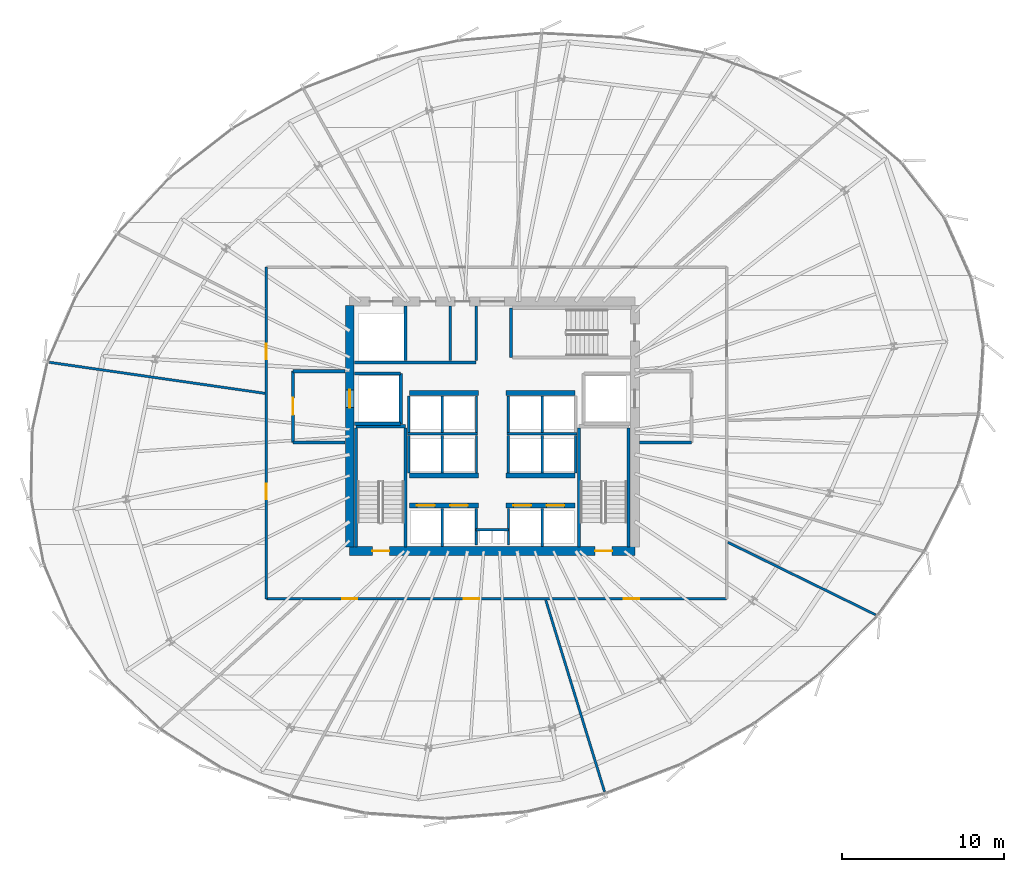
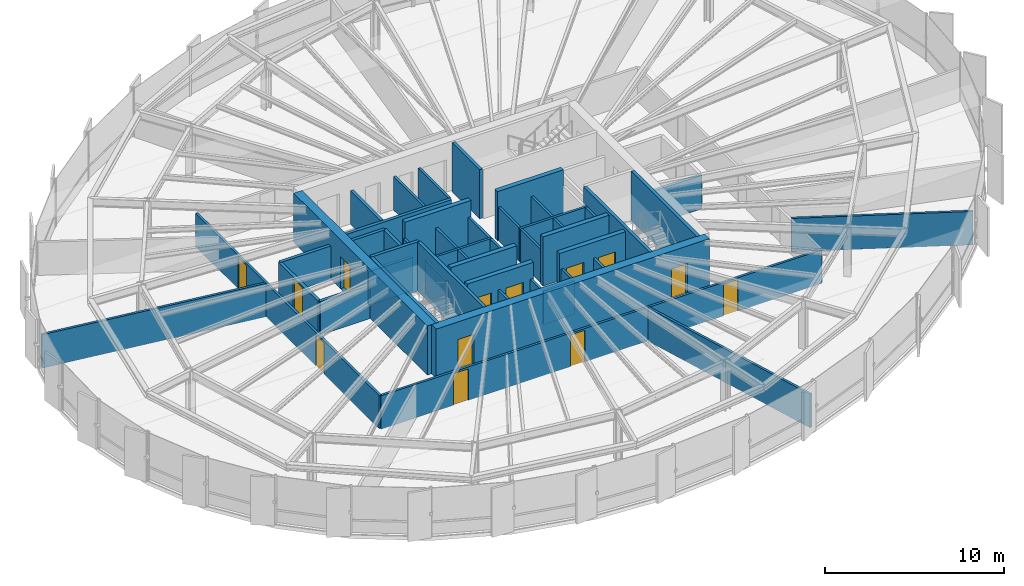
# One storey, part 29 of 35: 48 walls, 13 doors, 13 openings.
"""IFC4 building model written with IfcOpenShell, lengths in metres."""

from ifc_helpers import new_model, si_unit, direction, frame, frame_2d, origin, place, context, subcontext, project, spatial, rectangle, extrude, source, transform, mapped, material, layer, layer_set, type_object, element, fill, save


model = new_model("IFC4")

# Units and contexts
model_context = context("Model", 3, precision=1e-05, world=origin(), true_north=direction((0.0, 1.0)))
body_context = subcontext(model_context, "Body", "Model", "MODEL_VIEW")
ifc_project = project(units=[si_unit("LENGTHUNIT", "METRE"), si_unit("AREAUNIT", "SQUARE_METRE"), si_unit("VOLUMEUNIT", "CUBIC_METRE"), si_unit("PLANEANGLEUNIT", "RADIAN"), si_unit("MASSUNIT", "GRAM", prefix="KILO"), si_unit("THERMODYNAMICTEMPERATUREUNIT", "KELVIN")], contexts=[model_context])

# Site, building, storey
site_placement = place(None, origin())
site = spatial("IfcSite", under=ifc_project, at=site_placement, CompositionType="ELEMENT")
building_placement = place(site_placement, origin())
building = spatial("IfcBuilding", under=site, at=building_placement, Name="Kethvar Cultural Tower", CompositionType="ELEMENT")
storey_placement = place(building_placement, frame((0.0, 0.0, 103.60009765625)))
storey = spatial("IfcBuildingStorey", under=building, at=storey_placement, Name="L25", CompositionType="ELEMENT", Elevation=103.60009765625)

# Wall, openings, doors
ifc_material_1 = material(Name="Concrete C60/75", Category="concrete")
ifc_layer_1 = layer(ifc_material_1, 0.550048828125, Name="Concrete C60/75", Category="concrete")
ifc_layer_set_1 = layer_set([ifc_layer_1], Name="Concrete C60/75 (550 mm)")
wall_type_1 = type_object("IfcWallType", Name="WL-CORE-550", PredefinedType="SHEAR", material=ifc_layer_set_1)
wall_1_placement = place(storey_placement, frame((38.0, 20.10009765625, 0.0), z_axis=(0.0, 0.0, 1.0), x_axis=(1.0, 0.0, 0.0)))
wall_1 = element("IfcWall", 1, at=wall_1_placement, inside=storey, type_object=wall_type_1, Name="L25 Core Shear Wall S", PredefinedType="SHEAR", context=body_context, shape_type="SweptSolid", body=[
    extrude(rectangle(XDim=17.60009765625, YDim=0.550048828125, at=frame_2d((8.800048828125, 0.0))), origin(), (0.0, 0.0, 1.0), 3.349853515625),
])
opening_1_placement = place(wall_1_placement, frame((1.39990234375, 0.0, 0.0)))
opening_1 = element("IfcOpeningElement", 2, at=opening_1_placement, cuts=wall_1, Name="Opening D-L25-S1", PredefinedType="OPENING", context=body_context, shape_type="SweptSolid", body=[
    extrude(rectangle(XDim=1.050048828125, YDim=2.14990234375, at=frame_2d((0.52490234375, 1.074951171875))), frame((0.0, 0.284912109375, 0.0), z_axis=(0.0, -1.0, 0.0), x_axis=(1.0, 0.0, 0.0)), (0.0, 0.0, 1.0), 0.570068359375),
])
opening_2_placement = place(wall_1_placement, frame((15.14990234375, 0.0, 0.0)))
opening_2 = element("IfcOpeningElement", 3, at=opening_2_placement, cuts=wall_1, Name="Opening D-L25-ST2", PredefinedType="OPENING", context=body_context, shape_type="SweptSolid", body=[
    extrude(rectangle(XDim=1.050048828125, YDim=2.14990234375, at=frame_2d((0.52490234375, 1.074951171875))), frame((0.0, 0.284912109375, 0.0), z_axis=(0.0, -1.0, 0.0), x_axis=(1.0, 0.0, 0.0)), (0.0, 0.0, 1.0), 0.570068359375),
])
ifc_material_2 = material(Name="Steel S355J2", Category="steel")
door_type_1 = type_object("IfcDoorType", Name="DR-FD60-1050", OperationType="NOTDEFINED", PredefinedType="DOOR", material=ifc_material_2)
shared_shape_1 = source(origin(), body_context, "Body", "SweptSolid", [
    extrude(rectangle(XDim=1.050048828125, YDim=2.14990234375, at=frame_2d((0.52490234375, 1.074951171875))), frame((0.0, 0.02490234375, 0.0), z_axis=(0.0, -1.0, 0.0), x_axis=(1.0, 0.0, 0.0)), (0.0, 0.0, 1.0), 0.050048828125),
])
door_1_placement = place(opening_1_placement, origin())
door_1 = element("IfcDoor", 4, at=door_1_placement, inside=storey, type_object=door_type_1, Name="L25 Exit Stair 1 Door", OperationType="SINGLE_SWING_LEFT", OverallHeight=2.14990234375, OverallWidth=1.050048828125, PredefinedType="DOOR", context=body_context, shape_type="MappedRepresentation", body=[
    mapped(shared_shape_1, transform((0.0, 0.0, 0.0), scale=1.0)),
])
fill(opening_1, door_1)
door_2_placement = place(opening_2_placement, origin())
door_2 = element("IfcDoor", 5, at=door_2_placement, inside=storey, type_object=door_type_1, Name="L25 Exit Stair 2 Door", OperationType="SINGLE_SWING_RIGHT", OverallHeight=2.14990234375, OverallWidth=1.050048828125, PredefinedType="DOOR", context=body_context, shape_type="MappedRepresentation", body=[
    mapped(shared_shape_1, transform((0.0, 0.0, 0.0), scale=1.0)),
])
fill(opening_2, door_2)

# Wall, opening, door
wall_2_placement = place(storey_placement, frame((38.0, 35.260009765625, 0.0), z_axis=(0.0, 0.0, 1.0), x_axis=(0.0, -1.0, 0.0)))
wall_2 = element("IfcWall", 6, at=wall_2_placement, inside=storey, type_object=wall_type_1, Name="L25 Core Shear Wall W", PredefinedType="SHEAR", context=body_context, shape_type="SweptSolid", body=[
    extrude(rectangle(XDim=14.919921875, YDim=0.550048828125, at=frame_2d((7.4599609375, 0.0))), origin(), (0.0, 0.0, 1.0), 3.349853515625),
])
opening_3_placement = place(wall_2_placement, frame((5.2099609375, 0.0, 0.0)))
opening_3 = element("IfcOpeningElement", 7, at=opening_3_placement, cuts=wall_2, Name="Opening LD-1", PredefinedType="OPENING", context=body_context, shape_type="SweptSolid", body=[
    extrude(rectangle(XDim=1.10009765625, YDim=2.199951171875, at=frame_2d((0.550048828125, 1.10009765625))), frame((0.0, 0.284912109375, 0.0), z_axis=(0.0, -1.0, 0.0), x_axis=(1.0, 0.0, 0.0)), (0.0, 0.0, 1.0), 0.570068359375),
])
door_type_2 = type_object("IfcDoorType", Name="DR-LIFT-SLIDE-1100", OperationType="NOTDEFINED", PredefinedType="DOOR", material=ifc_material_2)
shared_shape_2 = source(origin(), body_context, "Body", "SweptSolid", [
    extrude(rectangle(XDim=1.10009765625, YDim=2.199951171875, at=frame_2d((0.550048828125, 1.10009765625))), frame((0.0, 0.02490234375, 0.0), z_axis=(0.0, -1.0, 0.0), x_axis=(1.0, 0.0, 0.0)), (0.0, 0.0, 1.0), 0.050048828125),
])
door_3_placement = place(opening_3_placement, origin())
door_3 = element("IfcDoor", 8, at=door_3_placement, inside=storey, type_object=door_type_2, Name="L25 Firefighting Lift Landing Door FFL-01", OperationType="SLIDING_TO_LEFT", OverallHeight=2.199951171875, OverallWidth=1.10009765625, PredefinedType="DOOR", context=body_context, shape_type="MappedRepresentation", body=[
    mapped(shared_shape_2, transform((0.0, 0.0, 0.0), scale=1.0)),
])
fill(opening_3, door_3)

# Walls
ifc_material_3 = material(Name="Gypsum Fireboard Partition")
ifc_layer_2 = layer(ifc_material_3, 0.14990234375, Name="Gypsum Fireboard Partition")
ifc_layer_set_2 = layer_set([ifc_layer_2], Name="Gypsum Fireboard Partition (150 mm)")
wall_type_2 = type_object("IfcWallType", Name="WL-FIRE-150", PredefinedType="PARTITIONING", material=ifc_layer_set_2)
wall_3_placement = place(storey_placement, frame((45.800048828125, 21.419921875, 0.0), z_axis=(0.0, 0.0, 1.0), x_axis=(1.0, 0.0, 0.0)))
element("IfcWall", 9, at=wall_3_placement, inside=storey, type_object=wall_type_2, Name="L25 Core Riser Wall", PredefinedType="PARTITIONING", context=body_context, shape_type="SweptSolid", body=[
    extrude(rectangle(XDim=2.0, YDim=0.14990234375, at=frame_2d((1.0, 0.0))), origin(), (0.0, 0.0, 1.0), 2.27978515625),
])
for number, where, z_axis, x_axis, name in (
    (10, (45.800048828125, 20.47998046875, 0.0), (0.0, 0.0, 1.0), (0.0, 1.0, 0.0), "L25 Core Riser West Wall"),
    (11, (47.800048828125, 20.47998046875, 0.0), (0.0, 0.0, 1.0), (0.0, 1.0, 0.0), "L25 Core Riser East Wall"),
):
    element("IfcWall", number, at=place(storey_placement, frame(where, z_axis=z_axis, x_axis=x_axis)), inside=storey, type_object=wall_type_2, Name=name, PredefinedType="PARTITIONING", context=body_context, shape_type="SweptSolid", body=[
        extrude(rectangle(XDim=2.239990234375, YDim=0.14990234375, at=frame_2d((1.1201171875, 0.0))), origin(), (0.0, 0.0, 1.0), 2.27978515625),
    ])
for number, where, z_axis, x_axis, name in (
    (12, (43.72509765625, 20.385009765625, 0.0), (0.0, 0.0, 1.0), (0.0, 1.0, 0.0), "L25 Low-Rise Lift Shaft Divider W"),
    (13, (49.875, 20.385009765625, 0.0), (0.0, 0.0, 1.0), (0.0, 1.0, 0.0), "L25 Low-Rise Lift Shaft Divider E"),
):
    element("IfcWall", number, at=place(storey_placement, frame(where, z_axis=z_axis, x_axis=x_axis)), inside=storey, type_object=wall_type_2, Name=name, PredefinedType="PARTITIONING", context=body_context, shape_type="SweptSolid", body=[
        extrude(rectangle(XDim=2.344970703125, YDim=0.14990234375, at=frame_2d((1.17236328125, 0.0))), origin(), (0.0, 0.0, 1.0), 2.27978515625),
    ])
wall_4_placement = place(storey_placement, frame((41.580078125, 27.324951171875, 0.0), z_axis=(0.0, 0.0, 1.0), x_axis=(1.0, 0.0, 0.0)))
element("IfcWall", 14, at=wall_4_placement, inside=storey, type_object=wall_type_2, Name="L25 Mid-High Lift Shaft Back Wall W", PredefinedType="PARTITIONING", context=body_context, shape_type="SweptSolid", body=[
    extrude(rectangle(XDim=4.31982421875, YDim=0.14990234375, at=frame_2d((2.159912109375, 0.0))), origin(), (0.0, 0.0, 1.0), 2.27978515625),
])
wall_5_placement = place(storey_placement, frame((47.699951171875, 27.324951171875, 0.0), z_axis=(0.0, 0.0, 1.0), x_axis=(1.0, 0.0, 0.0)))
element("IfcWall", 15, at=wall_5_placement, inside=storey, type_object=wall_type_2, Name="L25 Mid-High Lift Shaft Back Wall E", PredefinedType="PARTITIONING", context=body_context, shape_type="SweptSolid", body=[
    extrude(rectangle(XDim=4.320068359375, YDim=0.14990234375, at=frame_2d((2.16015625, 0.0))), origin(), (0.0, 0.0, 1.0), 2.27978515625),
])
for number, where, z_axis, x_axis, name in (
    (16, (41.64990234375, 24.919921875, 0.0), (0.0, 0.0, 1.0), (0.0, 1.0, 0.0), "L25 Mid-Rise Lift Shaft Outer Wall W"),
    (17, (43.72509765625, 24.919921875, 0.0), (0.0, 0.0, 1.0), (0.0, 1.0, 0.0), "L25 Mid-Rise Lift Shaft Divider W"),
    (18, (45.824951171875, 24.919921875, 0.0), (0.0, 0.0, 1.0), (0.0, 1.0, 0.0), "L25 Mid-Rise Lift Shaft Concourse Wall W"),
    (19, (47.77490234375, 24.919921875, 0.0), (0.0, 0.0, 1.0), (0.0, 1.0, 0.0), "L25 Mid-Rise Lift Shaft Concourse Wall E"),
    (20, (49.875, 24.919921875, 0.0), (0.0, 0.0, 1.0), (0.0, 1.0, 0.0), "L25 Mid-Rise Lift Shaft Divider E"),
    (21, (51.949951171875, 24.919921875, 0.0), (0.0, 0.0, 1.0), (0.0, 1.0, 0.0), "L25 Mid-Rise Lift Shaft Outer Wall E"),
):
    element("IfcWall", number, at=place(storey_placement, frame(where, z_axis=z_axis, x_axis=x_axis)), inside=storey, type_object=wall_type_2, Name=name, PredefinedType="PARTITIONING", context=body_context, shape_type="SweptSolid", body=[
        extrude(rectangle(XDim=2.320068359375, YDim=0.14990234375, at=frame_2d((1.16015625, 0.0))), origin(), (0.0, 0.0, 1.0), 2.27978515625),
    ])
for number, where, z_axis, x_axis, name in (
    (22, (41.64990234375, 27.409912109375, 0.0), (0.0, 0.0, 1.0), (0.0, 1.0, 0.0), "L25 High-Rise Lift Shaft Outer Wall W"),
    (23, (43.72509765625, 27.409912109375, 0.0), (0.0, 0.0, 1.0), (0.0, 1.0, 0.0), "L25 High-Rise Lift Shaft Divider W"),
    (24, (45.824951171875, 27.409912109375, 0.0), (0.0, 0.0, 1.0), (0.0, 1.0, 0.0), "L25 High-Rise Lift Shaft Concourse Wall W"),
    (25, (47.77490234375, 27.409912109375, 0.0), (0.0, 0.0, 1.0), (0.0, 1.0, 0.0), "L25 High-Rise Lift Shaft Concourse Wall E"),
    (26, (49.875, 27.409912109375, 0.0), (0.0, 0.0, 1.0), (0.0, 1.0, 0.0), "L25 High-Rise Lift Shaft Divider E"),
):
    element("IfcWall", number, at=place(storey_placement, frame(where, z_axis=z_axis, x_axis=x_axis)), inside=storey, type_object=wall_type_2, Name=name, PredefinedType="PARTITIONING", context=body_context, shape_type="SweptSolid", body=[
        extrude(rectangle(XDim=2.27001953125, YDim=0.14990234375, at=frame_2d((1.135009765625, 0.0))), origin(), (0.0, 0.0, 1.0), 2.27978515625),
    ])
wall_6_placement = place(storey_placement, frame((45.800048828125, 31.85009765625, 0.0), z_axis=(0.0, 0.0, 1.0), x_axis=(0.0, 1.0, 0.0)))
element("IfcWall", 27, at=wall_6_placement, inside=storey, type_object=wall_type_2, Name="L25 Sanitary Spine Wall", PredefinedType="PARTITIONING", context=body_context, shape_type="SweptSolid", body=[
    extrude(rectangle(XDim=3.364990234375, YDim=0.14990234375, at=frame_2d((1.6826171875, 0.0))), origin(), (0.0, 0.0, 1.0), 2.27978515625),
])

# Wall, openings, doors
wall_7_placement = place(storey_placement, frame((32.85009765625, 17.139892578125, 0.0), z_axis=(0.0, 0.0, 1.0), x_axis=(1.0, 0.0, 0.0)))
wall_7 = element("IfcWall", 28, at=wall_7_placement, inside=storey, type_object=wall_type_2, Name="L25 Corridor Rated Wall S", PredefinedType="PARTITIONING", context=body_context, shape_type="SweptSolid", body=[
    extrude(rectangle(XDim=28.419921875, YDim=0.14990234375, at=frame_2d((14.2099609375, 0.0))), origin(), (0.0, 0.0, 1.0), 2.27978515625),
])
opening_4_placement = place(wall_7_placement, frame((4.674072265625, 0.0, 0.0)))
opening_4 = element("IfcOpeningElement", 29, at=opening_4_placement, cuts=wall_7, Name="Opening D-L25-01", PredefinedType="OPENING", context=body_context, shape_type="SweptSolid", body=[
    extrude(rectangle(XDim=0.949951171875, YDim=2.14990234375, at=frame_2d((0.47509765625, 1.074951171875))), frame((0.0, 0.0849609375, 0.0), z_axis=(0.0, -1.0, 0.0), x_axis=(1.0, 0.0, 0.0)), (0.0, 0.0, 1.0), 0.169921875),
])
opening_5_placement = place(wall_7_placement, frame((12.19970703125, 0.0, 0.0)))
opening_5 = element("IfcOpeningElement", 30, at=opening_5_placement, cuts=wall_7, Name="Opening D-L25-02", PredefinedType="OPENING", context=body_context, shape_type="SweptSolid", body=[
    extrude(rectangle(XDim=0.949951171875, YDim=2.14990234375, at=frame_2d((0.47509765625, 1.074951171875))), frame((0.0, 0.0849609375, 0.0), z_axis=(0.0, -1.0, 0.0), x_axis=(1.0, 0.0, 0.0)), (0.0, 0.0, 1.0), 0.169921875),
])
opening_6_placement = place(wall_7_placement, frame((22.059814453125, 0.0, 0.0)))
opening_6 = element("IfcOpeningElement", 31, at=opening_6_placement, cuts=wall_7, Name="Opening D-L25-03", PredefinedType="OPENING", context=body_context, shape_type="SweptSolid", body=[
    extrude(rectangle(XDim=0.949951171875, YDim=2.14990234375, at=frame_2d((0.47509765625, 1.074951171875))), frame((0.0, 0.0849609375, 0.0), z_axis=(0.0, -1.0, 0.0), x_axis=(1.0, 0.0, 0.0)), (0.0, 0.0, 1.0), 0.169921875),
])
ifc_material_4 = material(Name="Architectural Oak Timber", Category="wood")
door_type_3 = type_object("IfcDoorType", Name="DR-FD30-950", OperationType="NOTDEFINED", PredefinedType="DOOR", material=ifc_material_4)
shared_shape_3 = source(origin(), body_context, "Body", "SweptSolid", [
    extrude(rectangle(XDim=0.949951171875, YDim=2.14990234375, at=frame_2d((0.47509765625, 1.074951171875))), frame((0.0, 0.02490234375, 0.0), z_axis=(0.0, -1.0, 0.0), x_axis=(1.0, 0.0, 0.0)), (0.0, 0.0, 1.0), 0.050048828125),
])
door_4_placement = place(opening_4_placement, origin())
door_4 = element("IfcDoor", 32, at=door_4_placement, inside=storey, type_object=door_type_3, Name="L25 Fellows' Study Workspace 01 Door", OperationType="SINGLE_SWING_RIGHT", OverallHeight=2.14990234375, OverallWidth=0.949951171875, PredefinedType="DOOR", context=body_context, shape_type="MappedRepresentation", body=[
    mapped(shared_shape_3, transform((0.0, 0.0, 0.0), scale=1.0)),
])
fill(opening_4, door_4)
door_5_placement = place(opening_5_placement, origin())
door_5 = element("IfcDoor", 33, at=door_5_placement, inside=storey, type_object=door_type_3, Name="L25 Cataloguing Administration Office 02 Door", OperationType="SINGLE_SWING_LEFT", OverallHeight=2.14990234375, OverallWidth=0.949951171875, PredefinedType="DOOR", context=body_context, shape_type="MappedRepresentation", body=[
    mapped(shared_shape_3, transform((0.0, 0.0, 0.0), scale=1.0)),
])
fill(opening_5, door_5)
door_6_placement = place(opening_6_placement, origin())
door_6 = element("IfcDoor", 34, at=door_6_placement, inside=storey, type_object=door_type_3, Name="L25 Conservation Design Workspace 03 Door", OperationType="SINGLE_SWING_RIGHT", OverallHeight=2.14990234375, OverallWidth=0.949951171875, PredefinedType="DOOR", context=body_context, shape_type="MappedRepresentation", body=[
    mapped(shared_shape_3, transform((0.0, 0.0, 0.0), scale=1.0)),
])
fill(opening_6, door_6)

wall_8_placement = place(storey_placement, frame((32.85009765625, 37.6201171875, 0.0), z_axis=(0.0, 0.0, 1.0), x_axis=(0.0, -1.0, 0.0)))
wall_8 = element("IfcWall", 35, at=wall_8_placement, inside=storey, type_object=wall_type_2, Name="L25 Corridor Rated Wall W", PredefinedType="PARTITIONING", context=body_context, shape_type="SweptSolid", body=[
    extrude(rectangle(XDim=20.480224609375, YDim=0.14990234375, at=frame_2d((10.240234375, 0.0))), origin(), (0.0, 0.0, 1.0), 2.27978515625),
])
opening_7_placement = place(wall_8_placement, frame((4.72900390625, 0.0, 0.0)))
opening_7 = element("IfcOpeningElement", 36, at=opening_7_placement, cuts=wall_8, Name="Opening D-L25-11", PredefinedType="OPENING", context=body_context, shape_type="SweptSolid", body=[
    extrude(rectangle(XDim=0.949951171875, YDim=2.14990234375, at=frame_2d((0.47509765625, 1.074951171875))), frame((0.0, 0.0849609375, 0.0), z_axis=(0.0, -1.0, 0.0), x_axis=(1.0, 0.0, 0.0)), (0.0, 0.0, 1.0), 0.169921875),
])
opening_8_placement = place(wall_8_placement, frame((13.375, 0.0, 0.0)))
opening_8 = element("IfcOpeningElement", 37, at=opening_8_placement, cuts=wall_8, Name="Opening D-L25-12", PredefinedType="OPENING", context=body_context, shape_type="SweptSolid", body=[
    extrude(rectangle(XDim=0.949951171875, YDim=2.14990234375, at=frame_2d((0.47509765625, 1.074951171875))), frame((0.0, 0.0849609375, 0.0), z_axis=(0.0, -1.0, 0.0), x_axis=(1.0, 0.0, 0.0)), (0.0, 0.0, 1.0), 0.169921875),
])
door_7_placement = place(opening_7_placement, origin())
door_7 = element("IfcDoor", 38, at=door_7_placement, inside=storey, type_object=door_type_3, Name="L25 Prints Reading Library 11 Door", OperationType="SINGLE_SWING_RIGHT", OverallHeight=2.14990234375, OverallWidth=0.949951171875, PredefinedType="DOOR", context=body_context, shape_type="MappedRepresentation", body=[
    mapped(shared_shape_3, transform((0.0, 0.0, 0.0), scale=1.0)),
])
fill(opening_7, door_7)
door_8_placement = place(opening_8_placement, origin())
door_8 = element("IfcDoor", 39, at=door_8_placement, inside=storey, type_object=door_type_3, Name="L25 Operations Control Room 12 Door", OperationType="SINGLE_SWING_LEFT", OverallHeight=2.14990234375, OverallWidth=0.949951171875, PredefinedType="DOOR", context=body_context, shape_type="MappedRepresentation", body=[
    mapped(shared_shape_3, transform((0.0, 0.0, 0.0), scale=1.0)),
])
fill(opening_8, door_8)

# Walls
ifc_material_5 = material(Name="Concrete C40/50", Category="concrete")
ifc_layer_3 = layer(ifc_material_5, 0.199951171875, Name="Concrete C40/50", Category="concrete")
ifc_layer_set_3 = layer_set([ifc_layer_3], Name="Concrete C40/50 (200 mm)")
wall_type_3 = type_object("IfcWallType", Name="WL-FIRE-200", PredefinedType="PARTITIONING", material=ifc_layer_set_3)
wall_9_placement = place(storey_placement, frame((41.14990234375, 27.949951171875, 0.0), z_axis=(0.0, 0.0, 1.0), x_axis=(0.0, 1.0, 0.0)))
element("IfcWall", 40, at=wall_9_placement, inside=storey, type_object=wall_type_3, Name="L25 FFL-01 Shaft Inner Wall", PredefinedType="PARTITIONING", context=body_context, shape_type="SweptSolid", body=[
    extrude(rectangle(XDim=3.10009765625, YDim=0.199951171875, at=frame_2d((1.550048828125, 0.0))), origin(), (0.0, 0.0, 1.0), 2.27978515625),
])
for number, where, z_axis, x_axis, name in (
    (41, (38.284912109375, 27.949951171875, 0.0), (0.0, 0.0, 1.0), (1.0, 0.0, 0.0), "L25 FFL-01 Shaft South Wall"),
    (42, (38.284912109375, 31.050048828125, 0.0), (0.0, 0.0, 1.0), (1.0, 0.0, 0.0), "L25 FFL-01 Shaft North Wall"),
):
    element("IfcWall", number, at=place(storey_placement, frame(where, z_axis=z_axis, x_axis=x_axis)), inside=storey, type_object=wall_type_3, Name=name, PredefinedType="PARTITIONING", context=body_context, shape_type="SweptSolid", body=[
        extrude(rectangle(XDim=2.864990234375, YDim=0.199951171875, at=frame_2d((1.4326171875, 0.0))), origin(), (0.0, 0.0, 1.0), 2.27978515625),
    ])

# Wall, opening, door
wall_10_placement = place(storey_placement, frame((34.5, 31.199951171875, 0.0), z_axis=(0.0, 0.0, 1.0), x_axis=(0.0, -1.0, 0.0)))
wall_10 = element("IfcWall", 43, at=wall_10_placement, inside=storey, type_object=wall_type_3, Name="L25 Firefighting Lobby 1 Wall", PredefinedType="PARTITIONING", context=body_context, shape_type="SweptSolid", body=[
    extrude(rectangle(XDim=4.39990234375, YDim=0.199951171875, at=frame_2d((2.199951171875, 0.0))), origin(), (0.0, 0.0, 1.0), 2.27978515625),
])
opening_9_placement = place(wall_10_placement, frame((1.64990234375, 0.0, 0.0)))
opening_9 = element("IfcOpeningElement", 44, at=opening_9_placement, cuts=wall_10, Name="Opening D-L25-F1", PredefinedType="OPENING", context=body_context, shape_type="SweptSolid", body=[
    extrude(rectangle(XDim=1.050048828125, YDim=2.14990234375, at=frame_2d((0.52490234375, 1.074951171875))), frame((0.0, 0.10986328125, 0.0), z_axis=(0.0, -1.0, 0.0), x_axis=(1.0, 0.0, 0.0)), (0.0, 0.0, 1.0), 0.219970703125),
])
door_9_placement = place(opening_9_placement, origin())
door_9 = element("IfcDoor", 45, at=door_9_placement, inside=storey, type_object=door_type_1, Name="L25 Firefighting Lobby 1 Fire Door", OperationType="SINGLE_SWING_LEFT", OverallHeight=2.14990234375, OverallWidth=1.050048828125, PredefinedType="DOOR", context=body_context, shape_type="MappedRepresentation", body=[
    mapped(shared_shape_1, transform((0.0, 0.0, 0.0), scale=1.0)),
])
fill(opening_9, door_9)

# Walls
for number, where, z_axis, x_axis, name in (
    (46, (34.5, 26.800048828125, 0.0), (0.0, 0.0, 1.0), (1.0, 0.0, 0.0), "L25 FF Lobby 1 South Wall"),
    (47, (34.5, 31.199951171875, 0.0), (0.0, 0.0, 1.0), (1.0, 0.0, 0.0), "L25 FF Lobby 1 North Wall"),
    (48, (55.885009765625, 26.800048828125, 0.0), (0.0, 0.0, 1.0), (1.0, 0.0, 0.0), "L25 FF Lobby 2 South Wall"),
):
    element("IfcWall", number, at=place(storey_placement, frame(where, z_axis=z_axis, x_axis=x_axis)), inside=storey, type_object=wall_type_3, Name=name, PredefinedType="PARTITIONING", context=body_context, shape_type="SweptSolid", body=[
        extrude(rectangle(XDim=3.215087890625, YDim=0.199951171875, at=frame_2d((1.607421875, 0.0))), origin(), (0.0, 0.0, 1.0), 2.27978515625),
    ])
wall_11_placement = place(storey_placement, frame((41.449951171875, 31.85009765625, 0.0), z_axis=(0.0, 0.0, 1.0), x_axis=(0.0, 1.0, 0.0)))
element("IfcWall", 49, at=wall_11_placement, inside=storey, type_object=wall_type_3, Name="L25 NW Core Pocket Wall", PredefinedType="PARTITIONING", context=body_context, shape_type="SweptSolid", body=[
    extrude(rectangle(XDim=3.364990234375, YDim=0.199951171875, at=frame_2d((1.6826171875, 0.0))), origin(), (0.0, 0.0, 1.0), 2.27978515625),
])
wall_12_placement = place(storey_placement, frame((38.284912109375, 31.72998046875, 0.0), z_axis=(0.0, 0.0, 1.0), x_axis=(1.0, 0.0, 0.0)))
element("IfcWall", 50, at=wall_12_placement, inside=storey, type_object=wall_type_3, Name="L25 North Core Sanitary South Wall", PredefinedType="PARTITIONING", context=body_context, shape_type="SweptSolid", body=[
    extrude(rectangle(XDim=7.51513671875, YDim=0.199951171875, at=frame_2d((3.757568359375, 0.0))), origin(), (0.0, 0.0, 1.0), 2.27978515625),
])
ifc_material_6 = material(Name="Gypsum Acoustic Partition")
ifc_layer_4 = layer(ifc_material_6, 0.14990234375, Name="Gypsum Acoustic Partition")
ifc_layer_set_4 = layer_set([ifc_layer_4], Name="Gypsum Acoustic Partition (150 mm)")
wall_type_4 = type_object("IfcWallType", Name="WL-PART-150", PredefinedType="PARTITIONING", material=ifc_layer_set_4)
wall_13_placement = place(storey_placement, frame((50.102783203125, 17.0634765625, 0.0), z_axis=(0.0, 0.0, 1.0), x_axis=(0.293429940937, -0.955980580222, 0.0)))
element("IfcWall", 51, at=wall_13_placement, inside=storey, type_object=wall_type_4, Name="L25 Radial Partition Wall 03", PredefinedType="PARTITIONING", context=body_context, shape_type="SweptSolid", body=[
    extrude(rectangle(XDim=12.373046875, YDim=0.14990234375, at=frame_2d((6.1865234375, 0.0))), origin(), (0.0, 0.0, 1.0), 2.27978515625),
])
wall_14_placement = place(storey_placement, frame((61.341796875, 20.633544921875, 0.0), z_axis=(0.0, 0.0, 1.0), x_axis=(0.897844588606, -0.440312496656, 0.0)))
element("IfcWall", 52, at=wall_14_placement, inside=storey, type_object=wall_type_4, Name="L25 Radial Partition Wall 04", PredefinedType="PARTITIONING", context=body_context, shape_type="SweptSolid", body=[
    extrude(rectangle(XDim=10.165771484375, YDim=0.14990234375, at=frame_2d((5.0830078125, 0.0))), origin(), (0.0, 0.0, 1.0), 2.27978515625),
])
wall_15_placement = place(storey_placement, frame((32.770751953125, 29.82861328125, 0.0), z_axis=(0.0, 0.0, 1.0), x_axis=(-0.989796466172, 0.142488440067, 0.0)))
element("IfcWall", 53, at=wall_15_placement, inside=storey, type_object=wall_type_4, Name="L25 Radial Partition Wall 12", PredefinedType="PARTITIONING", context=body_context, shape_type="SweptSolid", body=[
    extrude(rectangle(XDim=13.451904296875, YDim=0.14990234375, at=frame_2d((6.72607421875, 0.0))), origin(), (0.0, 0.0, 1.0), 2.27978515625),
])
ifc_material_7 = material(Name="Moisture-Resistant Sanitary Chase Wall")
ifc_layer_5 = layer(ifc_material_7, 0.14990234375, Name="Moisture-Resistant Sanitary Chase Wall")
ifc_layer_set_5 = layer_set([ifc_layer_5], Name="Moisture-Resistant Sanitary Chase Wall (150 mm)")
wall_type_5 = type_object("IfcWallType", Name="WL-PLUMB-150", PredefinedType="PLUMBINGWALL", material=ifc_layer_set_5)
wall_16_placement = place(storey_placement, frame((44.199951171875, 31.85009765625, 0.0), z_axis=(0.0, 0.0, 1.0), x_axis=(0.0, 1.0, 0.0)))
element("IfcWall", 54, at=wall_16_placement, inside=storey, type_object=wall_type_5, Name="L25 Sanitary Plumbing Wall", PredefinedType="PLUMBINGWALL", context=body_context, shape_type="SweptSolid", body=[
    extrude(rectangle(XDim=3.364990234375, YDim=0.14990234375, at=frame_2d((1.6826171875, 0.0))), origin(), (0.0, 0.0, 1.0), 2.27978515625),
])

# Wall, openings, doors
ifc_material_8 = material(Name="Concrete C50/60", Category="concrete")
ifc_layer_6 = layer(ifc_material_8, 0.300048828125, Name="Concrete C50/60", Category="concrete")
ifc_layer_set_6 = layer_set([ifc_layer_6], Name="Concrete C50/60 (300 mm)")
wall_type_6 = type_object("IfcWallType", Name="WL-SHAFT-300", PredefinedType="SHEAR", material=ifc_layer_set_6)
wall_17_placement = place(storey_placement, frame((41.699951171875, 22.89990234375, 0.0), z_axis=(0.0, 0.0, 1.0), x_axis=(1.0, 0.0, 0.0)))
wall_17 = element("IfcWall", 55, at=wall_17_placement, inside=storey, type_object=wall_type_6, Name="L25 Core Lift Spine Wall MID1W", PredefinedType="SHEAR", context=body_context, shape_type="SweptSolid", body=[
    extrude(rectangle(XDim=4.25, YDim=0.300048828125, at=frame_2d((2.125, 0.0))), origin(), (0.0, 0.0, 1.0), 3.349853515625),
])
opening_10_placement = place(wall_17_placement, frame((0.449951171875, 0.0, 0.0)))
opening_10 = element("IfcOpeningElement", 56, at=opening_10_placement, cuts=wall_17, Name="Opening LD-L1", PredefinedType="OPENING", context=body_context, shape_type="SweptSolid", body=[
    extrude(rectangle(XDim=1.10009765625, YDim=2.199951171875, at=frame_2d((0.550048828125, 1.10009765625))), frame((0.0, 0.159912109375, 0.0), z_axis=(0.0, -1.0, 0.0), x_axis=(1.0, 0.0, 0.0)), (0.0, 0.0, 1.0), 0.320068359375),
])
opening_11_placement = place(wall_17_placement, frame((2.5, 0.0, 0.0)))
opening_11 = element("IfcOpeningElement", 57, at=opening_11_placement, cuts=wall_17, Name="Opening LD-L2", PredefinedType="OPENING", context=body_context, shape_type="SweptSolid", body=[
    extrude(rectangle(XDim=1.10009765625, YDim=2.199951171875, at=frame_2d((0.550048828125, 1.10009765625))), frame((0.0, 0.159912109375, 0.0), z_axis=(0.0, -1.0, 0.0), x_axis=(1.0, 0.0, 0.0)), (0.0, 0.0, 1.0), 0.320068359375),
])
door_10_placement = place(opening_10_placement, origin())
door_10 = element("IfcDoor", 58, at=door_10_placement, inside=storey, type_object=door_type_2, Name="L25 Low-Rise Lift Landing Door L1", OperationType="SLIDING_TO_LEFT", OverallHeight=2.199951171875, OverallWidth=1.10009765625, PredefinedType="DOOR", context=body_context, shape_type="MappedRepresentation", body=[
    mapped(shared_shape_2, transform((0.0, 0.0, 0.0), scale=1.0)),
])
fill(opening_10, door_10)
door_11_placement = place(opening_11_placement, origin())
door_11 = element("IfcDoor", 59, at=door_11_placement, inside=storey, type_object=door_type_2, Name="L25 Low-Rise Lift Landing Door L2", OperationType="SLIDING_TO_LEFT", OverallHeight=2.199951171875, OverallWidth=1.10009765625, PredefinedType="DOOR", context=body_context, shape_type="MappedRepresentation", body=[
    mapped(shared_shape_2, transform((0.0, 0.0, 0.0), scale=1.0)),
])
fill(opening_11, door_11)

wall_18_placement = place(storey_placement, frame((47.64990234375, 22.89990234375, 0.0), z_axis=(0.0, 0.0, 1.0), x_axis=(1.0, 0.0, 0.0)))
wall_18 = element("IfcWall", 60, at=wall_18_placement, inside=storey, type_object=wall_type_6, Name="L25 Core Lift Spine Wall MID1E", PredefinedType="SHEAR", context=body_context, shape_type="SweptSolid", body=[
    extrude(rectangle(XDim=4.25, YDim=0.300048828125, at=frame_2d((2.125, 0.0))), origin(), (0.0, 0.0, 1.0), 3.349853515625),
])
opening_12_placement = place(wall_18_placement, frame((0.449951171875, 0.0, 0.0)))
opening_12 = element("IfcOpeningElement", 61, at=opening_12_placement, cuts=wall_18, Name="Opening LD-L3", PredefinedType="OPENING", context=body_context, shape_type="SweptSolid", body=[
    extrude(rectangle(XDim=1.10009765625, YDim=2.199951171875, at=frame_2d((0.550048828125, 1.10009765625))), frame((0.0, 0.159912109375, 0.0), z_axis=(0.0, -1.0, 0.0), x_axis=(1.0, 0.0, 0.0)), (0.0, 0.0, 1.0), 0.320068359375),
])
opening_13_placement = place(wall_18_placement, frame((2.5, 0.0, 0.0)))
opening_13 = element("IfcOpeningElement", 62, at=opening_13_placement, cuts=wall_18, Name="Opening LD-L4", PredefinedType="OPENING", context=body_context, shape_type="SweptSolid", body=[
    extrude(rectangle(XDim=1.10009765625, YDim=2.199951171875, at=frame_2d((0.550048828125, 1.10009765625))), frame((0.0, 0.159912109375, 0.0), z_axis=(0.0, -1.0, 0.0), x_axis=(1.0, 0.0, 0.0)), (0.0, 0.0, 1.0), 0.320068359375),
])
door_12_placement = place(opening_12_placement, origin())
door_12 = element("IfcDoor", 63, at=door_12_placement, inside=storey, type_object=door_type_2, Name="L25 Low-Rise Lift Landing Door L3", OperationType="SLIDING_TO_LEFT", OverallHeight=2.199951171875, OverallWidth=1.10009765625, PredefinedType="DOOR", context=body_context, shape_type="MappedRepresentation", body=[
    mapped(shared_shape_2, transform((0.0, 0.0, 0.0), scale=1.0)),
])
fill(opening_12, door_12)
door_13_placement = place(opening_13_placement, origin())
door_13 = element("IfcDoor", 64, at=door_13_placement, inside=storey, type_object=door_type_2, Name="L25 Low-Rise Lift Landing Door L4", OperationType="SLIDING_TO_LEFT", OverallHeight=2.199951171875, OverallWidth=1.10009765625, PredefinedType="DOOR", context=body_context, shape_type="MappedRepresentation", body=[
    mapped(shared_shape_2, transform((0.0, 0.0, 0.0), scale=1.0)),
])
fill(opening_13, door_13)

# Walls
for number, where, z_axis, x_axis, name in (
    (65, (41.699951171875, 24.75, 0.0), (0.0, 0.0, 1.0), (1.0, 0.0, 0.0), "L25 Core Lift Spine Wall MID2W"),
    (66, (47.64990234375, 24.75, 0.0), (0.0, 0.0, 1.0), (1.0, 0.0, 0.0), "L25 Core Lift Spine Wall MID2E"),
    (67, (41.699951171875, 29.85009765625, 0.0), (0.0, 0.0, 1.0), (1.0, 0.0, 0.0), "L25 Core Lift Spine Wall MID3W"),
    (68, (47.64990234375, 29.85009765625, 0.0), (0.0, 0.0, 1.0), (1.0, 0.0, 0.0), "L25 Core Lift Spine Wall MID3E"),
):
    element("IfcWall", number, at=place(storey_placement, frame(where, z_axis=z_axis, x_axis=x_axis)), inside=storey, type_object=wall_type_6, Name=name, PredefinedType="SHEAR", context=body_context, shape_type="SweptSolid", body=[
        extrude(rectangle(XDim=4.25, YDim=0.300048828125, at=frame_2d((2.125, 0.0))), origin(), (0.0, 0.0, 1.0), 3.349853515625),
    ])
ifc_layer_7 = layer(ifc_material_8, 0.199951171875, Name="Concrete C50/60", Category="concrete")
ifc_layer_set_7 = layer_set([ifc_layer_7], Name="Concrete C50/60 (200 mm)")
wall_type_7 = type_object("IfcWallType", Name="WL-STSHAFT-200", PredefinedType="SHEAR", material=ifc_layer_set_7)
wall_19_placement = place(storey_placement, frame((38.389892578125, 27.800048828125, 0.0), z_axis=(0.0, 0.0, 1.0), x_axis=(1.0, 0.0, 0.0)))
element("IfcWall", 69, at=wall_19_placement, inside=storey, type_object=wall_type_7, Name="L25 ST-01 Stair Shaft Wall FAR", PredefinedType="SHEAR", context=body_context, shape_type="SweptSolid", body=[
    extrude(rectangle(XDim=3.06005859375, YDim=0.199951171875, at=frame_2d((1.530029296875, 0.0))), origin(), (0.0, 0.0, 1.0), 3.349853515625),
])
for number, where, z_axis, x_axis, name in (
    (70, (41.449951171875, 27.699951171875, 0.0), (0.0, 0.0, 1.0), (0.0, -1.0, 0.0), "L25 ST-01 Stair Shaft Wall LEFT"),
    (71, (38.389892578125, 20.35009765625, 0.0), (0.0, 0.0, 1.0), (0.0, 1.0, 0.0), "L25 ST-01 Stair Shaft Wall RIGHT"),
    (72, (55.2099609375, 27.699951171875, 0.0), (0.0, 0.0, 1.0), (0.0, -1.0, 0.0), "L25 ST-02 Stair Shaft Wall LEFT"),
    (73, (52.14990234375, 20.35009765625, 0.0), (0.0, 0.0, 1.0), (0.0, 1.0, 0.0), "L25 ST-02 Stair Shaft Wall RIGHT"),
):
    element("IfcWall", number, at=place(storey_placement, frame(where, z_axis=z_axis, x_axis=x_axis)), inside=storey, type_object=wall_type_7, Name=name, PredefinedType="SHEAR", context=body_context, shape_type="SweptSolid", body=[
        extrude(rectangle(XDim=7.349853515625, YDim=0.199951171875, at=frame_2d((3.6748046875, 0.0))), origin(), (0.0, 0.0, 1.0), 3.349853515625),
    ])
wall_20_placement = place(storey_placement, frame((47.949951171875, 32.050048828125, 0.0), z_axis=(0.0, 0.0, 1.0), x_axis=(0.0, 1.0, 0.0)))
element("IfcWall", 74, at=wall_20_placement, inside=storey, type_object=wall_type_7, Name="L25 ST-03 Stair Shaft Wall FAR", PredefinedType="SHEAR", context=body_context, shape_type="SweptSolid", body=[
    extrude(rectangle(XDim=3.06005859375, YDim=0.199951171875, at=frame_2d((1.530029296875, 0.0))), origin(), (0.0, 0.0, 1.0), 3.349853515625),
])

save(model, "model.ifc")
